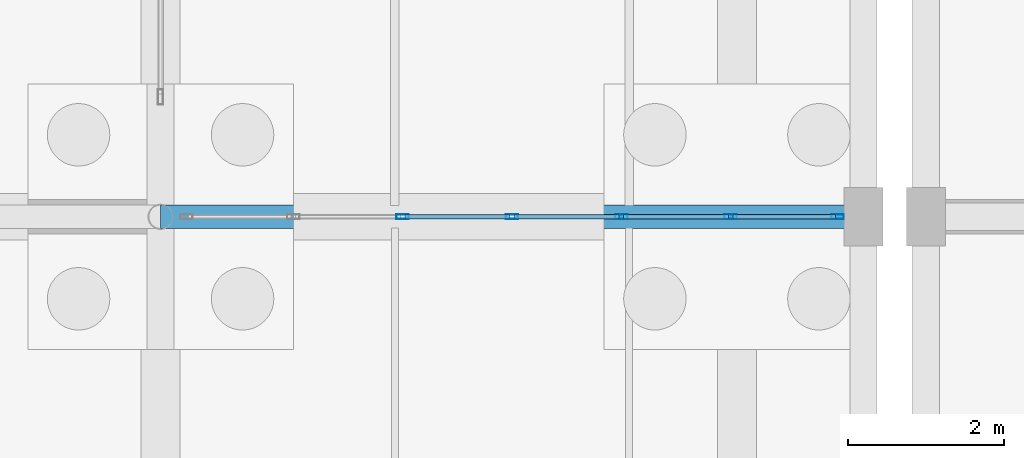
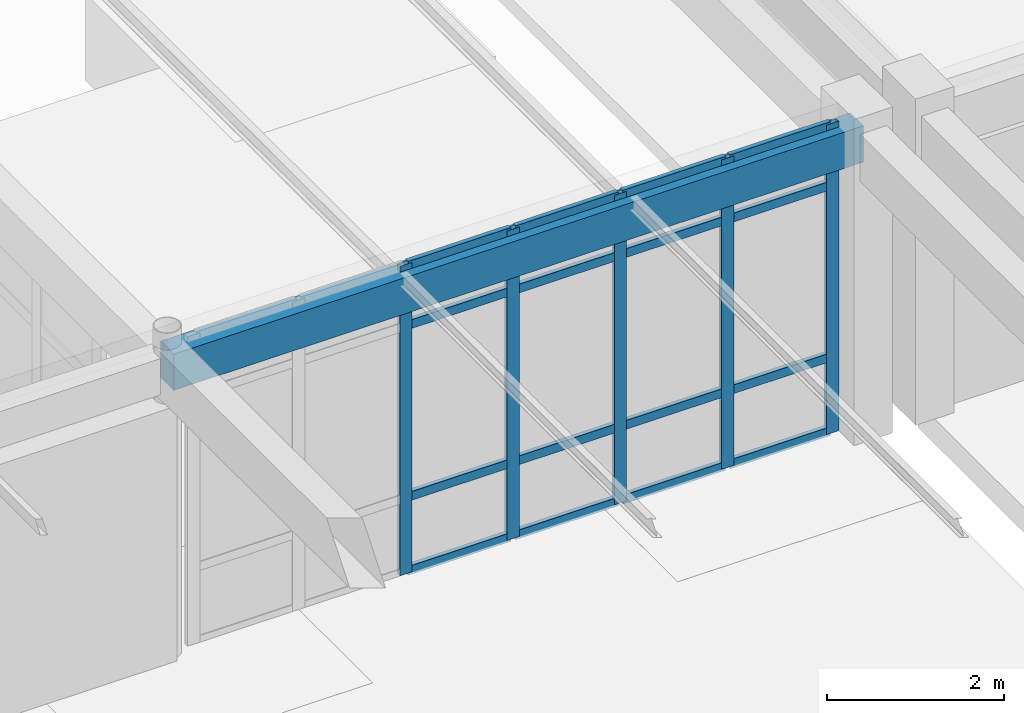
# One storey, part 75 of 186: 21 members, 1 beam, 1 element without a shape of its own.
"""IFC4 building model written with IfcOpenShell, lengths in metres."""

from ifc_helpers import new_model, si_unit, direction, frame, origin, origin_2d, place, context, subcontext, project, spatial, rectangle, hollow_rectangle, extrude, material, layer, layer_set, material_profile, profile_set, type_object, element, aggregate, save


model = new_model("IFC4")

# Units and contexts
model_context = context("Model", 3, precision=1e-05, world=origin(), true_north=direction((0.0, 1.0)))
body_context = subcontext(model_context, "Body", "Model", "MODEL_VIEW")
ifc_project = project(units=[si_unit("LENGTHUNIT", "METRE"), si_unit("AREAUNIT", "SQUARE_METRE"), si_unit("VOLUMEUNIT", "CUBIC_METRE"), si_unit("PLANEANGLEUNIT", "RADIAN"), si_unit("MASSUNIT", "GRAM", prefix="KILO")], contexts=[model_context])

# Site, building, storey
site_placement = place(None, origin())
site = spatial("IfcSite", under=ifc_project, at=site_placement, CompositionType="ELEMENT")
building_placement = place(site_placement, origin())
building = spatial("IfcBuilding", under=site, at=building_placement, Name="Ornek Quay Market", CompositionType="ELEMENT")
storey_placement = place(building_placement, origin())
storey = spatial("IfcBuildingStorey", under=building, at=storey_placement, Name="L00", CompositionType="ELEMENT", Elevation=0.0)

# Beam
ifc_material_1 = material(Name="Concrete C40/50", Category="concrete")
ifc_material_profile_1 = material_profile(ifc_material_1, rectangle(XDim=0.300048828125, YDim=0.5, at=origin_2d()), Name="RC 300x500", Category="concrete")
ifc_profile_set_1 = profile_set([ifc_material_profile_1], Name="Concrete C40/50")
beam_type = type_object("IfcBeamType", Name="BM-UMB-RIM-300x500", PredefinedType="SPANDREL", material=ifc_profile_set_1)
beam_placement = place(storey_placement, frame((45.0, 110.0, 3.93994140625), z_axis=(1.0, 0.0, 0.0), x_axis=(0.0, 1.0, 0.0)))
element("IfcBeam", 1, at=beam_placement, inside=storey, type_object=beam_type, Name="Primary beam B-UMR-006", PredefinedType="SPANDREL", context=body_context, shape_type="SweptSolid", body=[
    extrude(rectangle(XDim=0.300048828125, YDim=0.5, at=origin_2d()), origin(), (0.0, 0.0, 1.0), 9.0),
])

# Curtain wall, members
ifc_material_2 = material(Name="Anodised bronze aluminium and triple low-e glass", Category="aluminium")
ifc_layer = layer(ifc_material_2, 0.179931640625, Name="Anodised bronze aluminium and triple low-e glass", Category="aluminium")
ifc_layer_set = layer_set([ifc_layer], Name="Anodised bronze aluminium and triple low-e glass")
curtain_wall_type = type_object("IfcCurtainWallType", Name="CW-CONC-MOD1500", PredefinedType="USERDEFINED", material=ifc_layer_set)
curtain_wall_placement = place(storey_placement, origin())
curtain_wall = element("IfcCurtainWall", 2, at=curtain_wall_placement, inside=storey, type_object=curtain_wall_type, Name="Curtain wall CW-009", ObjectType="CURTAIN WALL", PredefinedType="USERDEFINED")
ifc_material_3 = material(Name="Anodised aluminium 6063-T6", Category="aluminium")
ifc_material_profile_2 = material_profile(ifc_material_3, hollow_rectangle(XDim=0.06005859375, YDim=0.159912109375, WallThickness=0.00390625, at=origin_2d()), Name="CW-MUL-60x160", Category="aluminium")
ifc_profile_set_2 = profile_set([ifc_material_profile_2], Name="Anodised aluminium 6063-T6")
member_type_1 = type_object("IfcMemberType", Name="CW-MUL-60x160", PredefinedType="MULLION", material=ifc_profile_set_2)
member_1_placement = place(storey_placement, frame((48.10009765625, 110.0, 0.0), z_axis=(0.0, 0.0, 1.0), x_axis=(0.0, 1.0, 0.0)))
member_1 = element("IfcMember", 3, at=member_1_placement, type_object=member_type_1, Name="CW-009 mullion 3", PredefinedType="MULLION", context=body_context, shape_type="SweptSolid", body=[
    extrude(hollow_rectangle(XDim=0.06005859375, YDim=0.159912109375, WallThickness=0.00390625, at=origin_2d()), origin(), (0.0, 0.0, 1.0), 4.27001953125),
])
member_2_placement = place(storey_placement, frame((49.5, 110.0, 0.0), z_axis=(0.0, 0.0, 1.0), x_axis=(0.0, 1.0, 0.0)))
member_2 = element("IfcMember", 4, at=member_2_placement, type_object=member_type_1, Name="CW-009 mullion 4", PredefinedType="MULLION", context=body_context, shape_type="SweptSolid", body=[
    extrude(hollow_rectangle(XDim=0.06005859375, YDim=0.159912109375, WallThickness=0.00390625, at=origin_2d()), origin(), (0.0, 0.0, 1.0), 4.27001953125),
])
member_3_placement = place(storey_placement, frame((50.89990234375, 110.0, 0.0), z_axis=(0.0, 0.0, 1.0), x_axis=(0.0, 1.0, 0.0)))
member_3 = element("IfcMember", 5, at=member_3_placement, type_object=member_type_1, Name="CW-009 mullion 5", PredefinedType="MULLION", context=body_context, shape_type="SweptSolid", body=[
    extrude(hollow_rectangle(XDim=0.06005859375, YDim=0.159912109375, WallThickness=0.00390625, at=origin_2d()), origin(), (0.0, 0.0, 1.0), 4.27001953125),
])
member_4_placement = place(storey_placement, frame((52.300048828125, 110.0, 0.0), z_axis=(0.0, 0.0, 1.0), x_axis=(0.0, 1.0, 0.0)))
member_4 = element("IfcMember", 6, at=member_4_placement, type_object=member_type_1, Name="CW-009 mullion 6", PredefinedType="MULLION", context=body_context, shape_type="SweptSolid", body=[
    extrude(hollow_rectangle(XDim=0.06005859375, YDim=0.159912109375, WallThickness=0.00390625, at=origin_2d()), origin(), (0.0, 0.0, 1.0), 4.27001953125),
])
member_5_placement = place(storey_placement, frame((53.669921875, 110.0, 0.0), z_axis=(0.0, 0.0, 1.0), x_axis=(0.0, 1.0, 0.0)))
member_5 = element("IfcMember", 7, at=member_5_placement, type_object=member_type_1, Name="CW-009 mullion 7", PredefinedType="MULLION", context=body_context, shape_type="SweptSolid", body=[
    extrude(hollow_rectangle(XDim=0.06005859375, YDim=0.159912109375, WallThickness=0.00390625, at=origin_2d()), origin(), (0.0, 0.0, 1.0), 4.27001953125),
])
ifc_material_profile_3 = material_profile(ifc_material_3, hollow_rectangle(XDim=0.06005859375, YDim=0.1201171875, WallThickness=0.00390625, at=origin_2d()), Name="CW-TRN-60x120", Category="aluminium")
ifc_profile_set_3 = profile_set([ifc_material_profile_3], Name="Anodised aluminium 6063-T6")
member_type_2 = type_object("IfcMemberType", Name="CW-TRN-60x120", PredefinedType="USERDEFINED", material=ifc_profile_set_3)
member_6_placement = place(storey_placement, frame((48.1298828125, 110.0, 0.030029296875), z_axis=(1.0, 0.0, 0.0), x_axis=(0.0, 1.0, 0.0)))
member_6 = element("IfcMember", 8, at=member_6_placement, type_object=member_type_2, Name="CW-009 transom 3.1", ObjectType="TRANSOM", PredefinedType="USERDEFINED", context=body_context, shape_type="SweptSolid", body=[
    extrude(hollow_rectangle(XDim=0.06005859375, YDim=0.1201171875, WallThickness=0.00390625, at=origin_2d()), origin(), (0.0, 0.0, 1.0), 1.340087890625),
])
member_7_placement = place(storey_placement, frame((48.1298828125, 110.0, 1.050048828125), z_axis=(1.0, 0.0, 0.0), x_axis=(0.0, 1.0, 0.0)))
member_7 = element("IfcMember", 9, at=member_7_placement, type_object=member_type_2, Name="CW-009 transom 3.2", ObjectType="TRANSOM", PredefinedType="USERDEFINED", context=body_context, shape_type="SweptSolid", body=[
    extrude(hollow_rectangle(XDim=0.06005859375, YDim=0.1201171875, WallThickness=0.00390625, at=origin_2d()), origin(), (0.0, 0.0, 1.0), 1.340087890625),
])
member_8_placement = place(storey_placement, frame((48.1298828125, 110.0, 3.419921875), z_axis=(1.0, 0.0, 0.0), x_axis=(0.0, 1.0, 0.0)))
member_8 = element("IfcMember", 10, at=member_8_placement, type_object=member_type_2, Name="CW-009 transom 3.3", ObjectType="TRANSOM", PredefinedType="USERDEFINED", context=body_context, shape_type="SweptSolid", body=[
    extrude(hollow_rectangle(XDim=0.06005859375, YDim=0.1201171875, WallThickness=0.00390625, at=origin_2d()), origin(), (0.0, 0.0, 1.0), 1.340087890625),
])
member_9_placement = place(storey_placement, frame((48.1298828125, 110.0, 4.239990234375), z_axis=(1.0, 0.0, 0.0), x_axis=(0.0, 1.0, 0.0)))
member_9 = element("IfcMember", 11, at=member_9_placement, type_object=member_type_2, Name="CW-009 transom 3.4", ObjectType="TRANSOM", PredefinedType="USERDEFINED", context=body_context, shape_type="SweptSolid", body=[
    extrude(hollow_rectangle(XDim=0.06005859375, YDim=0.1201171875, WallThickness=0.00390625, at=origin_2d()), origin(), (0.0, 0.0, 1.0), 1.340087890625),
])
member_10_placement = place(storey_placement, frame((49.530029296875, 110.0, 0.030029296875), z_axis=(1.0, 0.0, 0.0), x_axis=(0.0, 1.0, 0.0)))
member_10 = element("IfcMember", 12, at=member_10_placement, type_object=member_type_2, Name="CW-009 transom 4.1", ObjectType="TRANSOM", PredefinedType="USERDEFINED", context=body_context, shape_type="SweptSolid", body=[
    extrude(hollow_rectangle(XDim=0.06005859375, YDim=0.1201171875, WallThickness=0.00390625, at=origin_2d()), origin(), (0.0, 0.0, 1.0), 1.340087890625),
])
member_11_placement = place(storey_placement, frame((49.530029296875, 110.0, 1.050048828125), z_axis=(1.0, 0.0, 0.0), x_axis=(0.0, 1.0, 0.0)))
member_11 = element("IfcMember", 13, at=member_11_placement, type_object=member_type_2, Name="CW-009 transom 4.2", ObjectType="TRANSOM", PredefinedType="USERDEFINED", context=body_context, shape_type="SweptSolid", body=[
    extrude(hollow_rectangle(XDim=0.06005859375, YDim=0.1201171875, WallThickness=0.00390625, at=origin_2d()), origin(), (0.0, 0.0, 1.0), 1.340087890625),
])
member_12_placement = place(storey_placement, frame((49.530029296875, 110.0, 3.419921875), z_axis=(1.0, 0.0, 0.0), x_axis=(0.0, 1.0, 0.0)))
member_12 = element("IfcMember", 14, at=member_12_placement, type_object=member_type_2, Name="CW-009 transom 4.3", ObjectType="TRANSOM", PredefinedType="USERDEFINED", context=body_context, shape_type="SweptSolid", body=[
    extrude(hollow_rectangle(XDim=0.06005859375, YDim=0.1201171875, WallThickness=0.00390625, at=origin_2d()), origin(), (0.0, 0.0, 1.0), 1.340087890625),
])
member_13_placement = place(storey_placement, frame((49.530029296875, 110.0, 4.239990234375), z_axis=(1.0, 0.0, 0.0), x_axis=(0.0, 1.0, 0.0)))
member_13 = element("IfcMember", 15, at=member_13_placement, type_object=member_type_2, Name="CW-009 transom 4.4", ObjectType="TRANSOM", PredefinedType="USERDEFINED", context=body_context, shape_type="SweptSolid", body=[
    extrude(hollow_rectangle(XDim=0.06005859375, YDim=0.1201171875, WallThickness=0.00390625, at=origin_2d()), origin(), (0.0, 0.0, 1.0), 1.340087890625),
])
member_14_placement = place(storey_placement, frame((50.929931640625, 110.0, 0.030029296875), z_axis=(1.0, 0.0, 0.0), x_axis=(0.0, 1.0, 0.0)))
member_14 = element("IfcMember", 16, at=member_14_placement, type_object=member_type_2, Name="CW-009 transom 5.1", ObjectType="TRANSOM", PredefinedType="USERDEFINED", context=body_context, shape_type="SweptSolid", body=[
    extrude(hollow_rectangle(XDim=0.06005859375, YDim=0.1201171875, WallThickness=0.00390625, at=origin_2d()), origin(), (0.0, 0.0, 1.0), 1.340087890625),
])
member_15_placement = place(storey_placement, frame((50.929931640625, 110.0, 1.050048828125), z_axis=(1.0, 0.0, 0.0), x_axis=(0.0, 1.0, 0.0)))
member_15 = element("IfcMember", 17, at=member_15_placement, type_object=member_type_2, Name="CW-009 transom 5.2", ObjectType="TRANSOM", PredefinedType="USERDEFINED", context=body_context, shape_type="SweptSolid", body=[
    extrude(hollow_rectangle(XDim=0.06005859375, YDim=0.1201171875, WallThickness=0.00390625, at=origin_2d()), origin(), (0.0, 0.0, 1.0), 1.340087890625),
])
member_16_placement = place(storey_placement, frame((50.929931640625, 110.0, 3.419921875), z_axis=(1.0, 0.0, 0.0), x_axis=(0.0, 1.0, 0.0)))
member_16 = element("IfcMember", 18, at=member_16_placement, type_object=member_type_2, Name="CW-009 transom 5.3", ObjectType="TRANSOM", PredefinedType="USERDEFINED", context=body_context, shape_type="SweptSolid", body=[
    extrude(hollow_rectangle(XDim=0.06005859375, YDim=0.1201171875, WallThickness=0.00390625, at=origin_2d()), origin(), (0.0, 0.0, 1.0), 1.340087890625),
])
member_17_placement = place(storey_placement, frame((50.929931640625, 110.0, 4.239990234375), z_axis=(1.0, 0.0, 0.0), x_axis=(0.0, 1.0, 0.0)))
member_17 = element("IfcMember", 19, at=member_17_placement, type_object=member_type_2, Name="CW-009 transom 5.4", ObjectType="TRANSOM", PredefinedType="USERDEFINED", context=body_context, shape_type="SweptSolid", body=[
    extrude(hollow_rectangle(XDim=0.06005859375, YDim=0.1201171875, WallThickness=0.00390625, at=origin_2d()), origin(), (0.0, 0.0, 1.0), 1.340087890625),
])
member_18_placement = place(storey_placement, frame((52.330078125, 110.0, 0.030029296875), z_axis=(1.0, 0.0, 0.0), x_axis=(0.0, 1.0, 0.0)))
member_18 = element("IfcMember", 20, at=member_18_placement, type_object=member_type_2, Name="CW-009 transom 6.1", ObjectType="TRANSOM", PredefinedType="USERDEFINED", context=body_context, shape_type="SweptSolid", body=[
    extrude(hollow_rectangle(XDim=0.06005859375, YDim=0.1201171875, WallThickness=0.00390625, at=origin_2d()), origin(), (0.0, 0.0, 1.0), 1.309814453125),
])
member_19_placement = place(storey_placement, frame((52.330078125, 110.0, 1.050048828125), z_axis=(1.0, 0.0, 0.0), x_axis=(0.0, 1.0, 0.0)))
member_19 = element("IfcMember", 21, at=member_19_placement, type_object=member_type_2, Name="CW-009 transom 6.2", ObjectType="TRANSOM", PredefinedType="USERDEFINED", context=body_context, shape_type="SweptSolid", body=[
    extrude(hollow_rectangle(XDim=0.06005859375, YDim=0.1201171875, WallThickness=0.00390625, at=origin_2d()), origin(), (0.0, 0.0, 1.0), 1.309814453125),
])
member_20_placement = place(storey_placement, frame((52.330078125, 110.0, 3.419921875), z_axis=(1.0, 0.0, 0.0), x_axis=(0.0, 1.0, 0.0)))
member_20 = element("IfcMember", 22, at=member_20_placement, type_object=member_type_2, Name="CW-009 transom 6.3", ObjectType="TRANSOM", PredefinedType="USERDEFINED", context=body_context, shape_type="SweptSolid", body=[
    extrude(hollow_rectangle(XDim=0.06005859375, YDim=0.1201171875, WallThickness=0.00390625, at=origin_2d()), origin(), (0.0, 0.0, 1.0), 1.309814453125),
])
member_21_placement = place(storey_placement, frame((52.330078125, 110.0, 4.239990234375), z_axis=(1.0, 0.0, 0.0), x_axis=(0.0, 1.0, 0.0)))
member_21 = element("IfcMember", 23, at=member_21_placement, type_object=member_type_2, Name="CW-009 transom 6.4", ObjectType="TRANSOM", PredefinedType="USERDEFINED", context=body_context, shape_type="SweptSolid", body=[
    extrude(hollow_rectangle(XDim=0.06005859375, YDim=0.1201171875, WallThickness=0.00390625, at=origin_2d()), origin(), (0.0, 0.0, 1.0), 1.309814453125),
])
aggregate(curtain_wall, [member_1, member_2, member_3, member_4, member_5, member_6, member_7, member_8, member_9, member_10, member_11, member_12, member_13, member_14, member_15, member_16, member_17, member_18, member_19, member_20, member_21])

save(model, "model.ifc")
